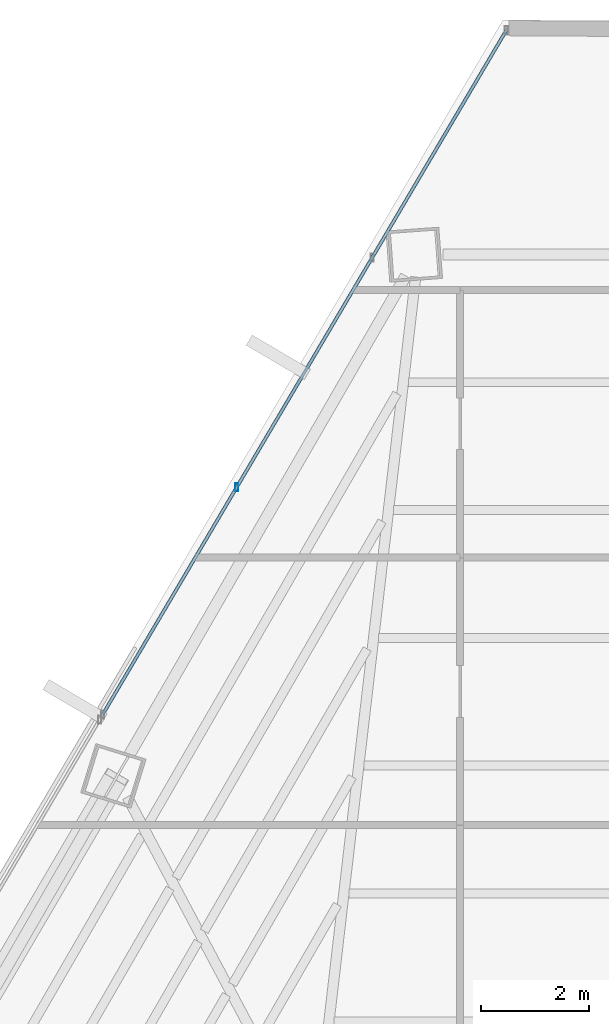
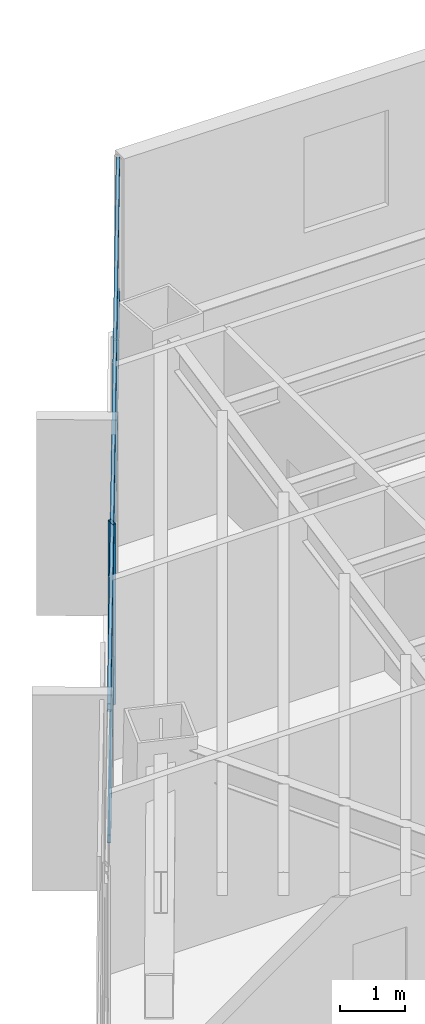
# One storey, part 28 of 41: 3 members, 1 element without a shape of its own.
"""IFC4 building model written with IfcOpenShell, lengths in metres."""

from ifc_helpers import new_model, si_unit, direction, frame, origin, origin_2d, place, context, subcontext, project, spatial, hollow_rectangle, extrude, source, transform, mapped, material, material_profile, profile_set, type_object, type_shapes, element, aggregate, save


model = new_model("IFC4")

# Units and contexts
model_context = context("Model", 3, precision=1e-05, world=origin(), true_north=direction((0.0, 1.0)))
body_context = subcontext(model_context, "Body", "Model", "MODEL_VIEW")
ifc_project = project(units=[si_unit("LENGTHUNIT", "METRE"), si_unit("AREAUNIT", "SQUARE_METRE"), si_unit("VOLUMEUNIT", "CUBIC_METRE"), si_unit("PLANEANGLEUNIT", "RADIAN"), si_unit("MASSUNIT", "GRAM", prefix="KILO")], contexts=[model_context])

# Site, building, storey
site_placement = place(None, origin())
site = spatial("IfcSite", under=ifc_project, at=site_placement, CompositionType="ELEMENT")
building_placement = place(site_placement, origin())
building = spatial("IfcBuilding", under=site, at=building_placement, Name="Caelisora Broadcast Tower", CompositionType="ELEMENT")
storey_placement = place(building_placement, frame((0.0, 0.0, 180.39990234375)))
storey = spatial("IfcBuildingStorey", under=building, at=storey_placement, Name="L47", CompositionType="ELEMENT", Elevation=180.39990234375)

# Curtain wall, members
ifc_material_1 = material(Name="Unitised Aluminium and Low-E Glass Curtain Wall", Category="glass")
curtain_wall_type = type_object("IfcCurtainWallType", Name="CW-Z3", PredefinedType="NOTDEFINED", material=ifc_material_1)
curtain_wall_placement = place(storey_placement, origin())
curtain_wall = element("IfcCurtainWall", 1, at=curtain_wall_placement, inside=storey, type_object=curtain_wall_type, Name="L47 curtain wall CW-Z3", PredefinedType="NOTDEFINED")
ifc_material_2 = material(Name="Aluminium 6063-T6 Anodised Terracotta Bronze", Category="aluminium")
ifc_material_profile_1 = material_profile(ifc_material_2, hollow_rectangle(XDim=0.06005859375, YDim=0.14990234375, WallThickness=0.00341796875, at=origin_2d()), Name="Aluminium 6063-T6 Anodised Terracotta Bronze")
ifc_profile_set_1 = profile_set([ifc_material_profile_1], Name="Aluminium 6063-T6 Anodised Terracotta Bronze")
member_type_1 = type_object("IfcMemberType", Name="CWM-03", PredefinedType="MULLION", material=ifc_profile_set_1)
shared_shape_1 = source(origin(), body_context, "Body", "SweptSolid", [
    extrude(hollow_rectangle(XDim=0.06005859375, YDim=0.14990234375, WallThickness=0.00341796875, at=origin_2d()), origin(), (0.0, 0.0, 1.0), 3.400146484375),
])
type_shapes(member_type_1, [shared_shape_1])
member_1_placement = place(storey_placement, frame((29.06787109375, 42.239990234375, 0.0), z_axis=(0.0, 0.0, 1.0), x_axis=(1.0, 0.0, 0.0)))
member_1 = element("IfcMember", 2, at=member_1_placement, type_object=member_type_1, Name="L47-CW-B11 mullion #1", PredefinedType="MULLION", context=body_context, shape_type="MappedRepresentation", body=[
    mapped(shared_shape_1, transform((0.0, 0.0, 0.0), scale=1.0)),
])
ifc_material_profile_2 = material_profile(ifc_material_2, hollow_rectangle(XDim=0.06005859375, YDim=0.14990234375, WallThickness=0.00341796875, at=origin_2d()), Name="Aluminium 6063-T6 Anodised Terracotta Bronze")
ifc_profile_set_2 = profile_set([ifc_material_profile_2], Name="Aluminium 6063-T6 Anodised Terracotta Bronze")
member_type_2 = type_object("IfcMemberType", Name="CWT-02", PredefinedType="USERDEFINED", material=ifc_profile_set_2)
shared_shape_2 = source(origin(), body_context, "Body", "SweptSolid", [
    extrude(hollow_rectangle(XDim=0.06005859375, YDim=0.14990234375, WallThickness=0.00341796875, at=origin_2d()), origin(), (0.0, 0.0, 1.0), 14.690673828125),
])
type_shapes(member_type_2, [shared_shape_2])
member_2_placement = place(storey_placement, frame((26.58837890625, 38.03662109375, 0.85009765625), z_axis=(0.508080812965, 0.861309402884, 0.0), x_axis=(-0.861309402884, 0.508080812965, 0.0)))
member_2 = element("IfcMember", 3, at=member_2_placement, type_object=member_type_2, Name="L47-CW-B11 transom #1", ObjectType="TRANSOM", PredefinedType="USERDEFINED", context=body_context, shape_type="MappedRepresentation", body=[
    mapped(shared_shape_2, transform((0.0, 0.0, 0.0), scale=1.0)),
])
member_3_placement = place(storey_placement, frame((26.58837890625, 38.03662109375, 3.320068359375), z_axis=(0.508080812965, 0.861309402884, 0.0), x_axis=(-0.861309402884, 0.508080812965, 0.0)))
member_3 = element("IfcMember", 4, at=member_3_placement, type_object=member_type_2, Name="L47-CW-B11 transom #2", ObjectType="TRANSOM", PredefinedType="USERDEFINED", context=body_context, shape_type="MappedRepresentation", body=[
    mapped(shared_shape_2, transform((0.0, 0.0, 0.0), scale=1.0)),
])
aggregate(curtain_wall, [member_1, member_2, member_3])

save(model, "model.ifc")
